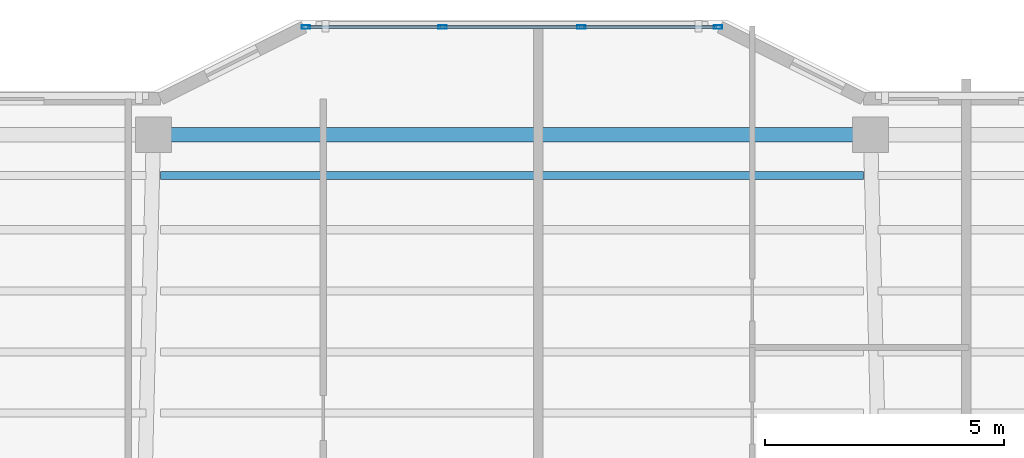
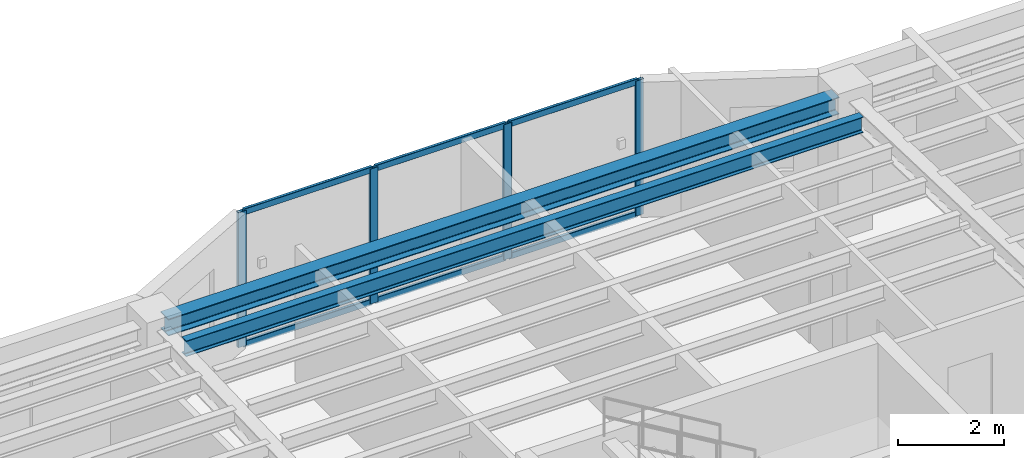
# One storey, part 2 of 11: 10 members, 2 beams, 1 element without a shape of its own.
"""IFC4 building model written with IfcOpenShell, lengths in metres."""

from ifc_helpers import new_model, si_unit, direction, frame, origin, origin_2d, place, context, subcontext, project, spatial, hollow_rectangle, i_section, extrude, material, layer, layer_set, material_profile, profile_set, type_object, element, aggregate, save


model = new_model("IFC4")

# Units and contexts
model_context = context("Model", 3, precision=1e-05, world=origin(), true_north=direction((0.0, 1.0)))
body_context = subcontext(model_context, "Body", "Model", "MODEL_VIEW")
ifc_project = project(units=[si_unit("LENGTHUNIT", "METRE"), si_unit("AREAUNIT", "SQUARE_METRE"), si_unit("VOLUMEUNIT", "CUBIC_METRE"), si_unit("PLANEANGLEUNIT", "RADIAN"), si_unit("MASSUNIT", "GRAM", prefix="KILO")], contexts=[model_context])

# Site, building, storey
site_placement = place(None, origin())
site = spatial("IfcSite", under=ifc_project, at=site_placement, CompositionType="ELEMENT")
building_placement = place(site_placement, origin())
building = spatial("IfcBuilding", under=site, at=building_placement, Name="Tarnavaz Court Tower", CompositionType="ELEMENT")
storey_placement = place(building_placement, frame((0.0, 0.0, 213.699951171875)))
storey = spatial("IfcBuildingStorey", under=building, at=storey_placement, Name="L58", CompositionType="ELEMENT", Elevation=213.699951171875)

# Beams
ifc_material_1 = material(Name="Steel S355", Category="steel")
ifc_material_profile_1 = material_profile(ifc_material_1, i_section(OverallWidth=0.169921875, OverallDepth=0.360107421875, WebThickness=0.008056640625, FlangeThickness=0.0126953125, FilletRadius=0.01806640625, at=origin_2d()), Name="IPE 360")
ifc_profile_set_1 = profile_set([ifc_material_profile_1], Name="Steel S355")
beam_type_1 = type_object("IfcBeamType", Name="BM-J-IPE360", PredefinedType="JOIST", material=ifc_profile_set_1)
beam_1_placement = place(storey_placement, frame((-7.35009765625, 19.248046875, 2.920166015625), z_axis=(1.0, 0.0, 0.0), x_axis=(0.0, 1.0, 0.0)))
element("IfcBeam", 1, at=beam_1_placement, inside=storey, type_object=beam_type_1, Name="L58 Beam JN5-2", PredefinedType="JOIST", context=body_context, shape_type="SweptSolid", body=[
    extrude(i_section(OverallWidth=0.169921875, OverallDepth=0.360107421875, WebThickness=0.008056640625, FlangeThickness=0.0126953125, FilletRadius=0.01806640625, at=origin_2d()), origin(), (0.0, 0.0, 1.0), 14.7001953125),
])
ifc_material_profile_2 = material_profile(ifc_material_1, i_section(OverallWidth=0.300048828125, OverallDepth=0.389892578125, WebThickness=0.010986328125, FlangeThickness=0.01904296875, FilletRadius=0.027099609375, at=origin_2d()), Name="HEA 400")
ifc_profile_set_2 = profile_set([ifc_material_profile_2], Name="Steel S355")
beam_type_2 = type_object("IfcBeamType", Name="BM-SP-HEA400", PredefinedType="BEAM", material=ifc_profile_set_2)
beam_2_placement = place(storey_placement, frame((-7.280029296875, 20.10009765625, 2.905029296875), z_axis=(1.0, 0.0, 0.0), x_axis=(0.0, 1.0, 0.0)))
element("IfcBeam", 2, at=beam_2_placement, inside=storey, type_object=beam_type_2, Name="L58 Beam PR-PN-2-PN-3", PredefinedType="BEAM", context=body_context, shape_type="SweptSolid", body=[
    extrude(i_section(OverallWidth=0.300048828125, OverallDepth=0.389892578125, WebThickness=0.010986328125, FlangeThickness=0.01904296875, FilletRadius=0.027099609375, at=origin_2d()), origin(), (0.0, 0.0, 1.0), 14.56005859375),
])

# Curtain wall, members
ifc_material_2 = material(Name="Anodised Aluminium 6063-T6 and Solar Low-E Glazing", Category="aluminium")
ifc_layer = layer(ifc_material_2, 0.159912109375)
ifc_layer_set = layer_set([ifc_layer], Name="Anodised Aluminium 6063-T6 and Solar Low-E Glazing")
curtain_wall_type = type_object("IfcCurtainWallType", Name="CW-SYS-03", PredefinedType="NOTDEFINED", material=ifc_layer_set)
curtain_wall_placement = place(storey_placement, origin())
curtain_wall = element("IfcCurtainWall", 3, at=curtain_wall_placement, inside=storey, type_object=curtain_wall_type, Name="L58 Iwan Prow Curtain Wall 7", PredefinedType="NOTDEFINED")
ifc_material_3 = material(Name="Anodised Aluminium 6063-T6", Category="aluminium")
ifc_material_profile_3 = material_profile(ifc_material_3, hollow_rectangle(XDim=0.074951171875, YDim=0.179931640625, WallThickness=0.0048828125, InnerFilletRadius=0.0048828125, OuterFilletRadius=0.010009765625, at=origin_2d()), Name="ALU RHS 180X75X5")
ifc_profile_set_3 = profile_set([ifc_material_profile_3], Name="Anodised Aluminium 6063-T6")
member_type_1 = type_object("IfcMemberType", Name="CW-MUL-180", PredefinedType="MULLION", material=ifc_profile_set_3)
member_1_placement = place(storey_placement, frame((-4.3125, 22.35009765625, 0.0), z_axis=(0.0, 0.0, 1.0), x_axis=(0.0, 1.0, 0.0)))
member_1 = element("IfcMember", 4, at=member_1_placement, type_object=member_type_1, Name="CW mullion 1", PredefinedType="MULLION", context=body_context, shape_type="SweptSolid", body=[
    extrude(hollow_rectangle(XDim=0.074951171875, YDim=0.179931640625, WallThickness=0.0048828125, InnerFilletRadius=0.0048828125, OuterFilletRadius=0.010009765625, at=origin_2d()), origin(), (0.0, 0.0, 1.0), 3.10009765625),
])
member_2_placement = place(storey_placement, frame((-1.449951171875, 22.35009765625, 0.0), z_axis=(0.0, 0.0, 1.0), x_axis=(0.0, 1.0, 0.0)))
member_2 = element("IfcMember", 5, at=member_2_placement, type_object=member_type_1, Name="CW mullion 2", PredefinedType="MULLION", context=body_context, shape_type="SweptSolid", body=[
    extrude(hollow_rectangle(XDim=0.074951171875, YDim=0.179931640625, WallThickness=0.0048828125, InnerFilletRadius=0.0048828125, OuterFilletRadius=0.010009765625, at=origin_2d()), origin(), (0.0, 0.0, 1.0), 3.10009765625),
])
member_3_placement = place(storey_placement, frame((1.449951171875, 22.35009765625, 0.0), z_axis=(0.0, 0.0, 1.0), x_axis=(0.0, 1.0, 0.0)))
member_3 = element("IfcMember", 6, at=member_3_placement, type_object=member_type_1, Name="CW mullion 3", PredefinedType="MULLION", context=body_context, shape_type="SweptSolid", body=[
    extrude(hollow_rectangle(XDim=0.074951171875, YDim=0.179931640625, WallThickness=0.0048828125, InnerFilletRadius=0.0048828125, OuterFilletRadius=0.010009765625, at=origin_2d()), origin(), (0.0, 0.0, 1.0), 3.10009765625),
])
member_4_placement = place(storey_placement, frame((4.3125, 22.35009765625, 0.0), z_axis=(0.0, 0.0, 1.0), x_axis=(0.0, 1.0, 0.0)))
member_4 = element("IfcMember", 7, at=member_4_placement, type_object=member_type_1, Name="CW mullion 4", PredefinedType="MULLION", context=body_context, shape_type="SweptSolid", body=[
    extrude(hollow_rectangle(XDim=0.074951171875, YDim=0.179931640625, WallThickness=0.0048828125, InnerFilletRadius=0.0048828125, OuterFilletRadius=0.010009765625, at=origin_2d()), origin(), (0.0, 0.0, 1.0), 3.10009765625),
])
ifc_material_profile_4 = material_profile(ifc_material_3, hollow_rectangle(XDim=0.06494140625, YDim=0.139892578125, WallThickness=0.00390625, InnerFilletRadius=0.00390625, OuterFilletRadius=0.008056640625, at=origin_2d()), Name="ALU RHS 140X65X4")
ifc_profile_set_4 = profile_set([ifc_material_profile_4], Name="Anodised Aluminium 6063-T6")
member_type_2 = type_object("IfcMemberType", Name="CW-TRN-140", PredefinedType="USERDEFINED", material=ifc_profile_set_4)
member_5_placement = place(storey_placement, frame((-4.27490234375, 22.35009765625, 0.032470703125), z_axis=(1.0, 0.0, 0.0), x_axis=(0.0, 1.0, 0.0)))
member_5 = element("IfcMember", 8, at=member_5_placement, type_object=member_type_2, Name="CW transom 1.1", ObjectType="TRANSOM", PredefinedType="USERDEFINED", context=body_context, shape_type="SweptSolid", body=[
    extrude(hollow_rectangle(XDim=0.06494140625, YDim=0.139892578125, WallThickness=0.00390625, InnerFilletRadius=0.00390625, OuterFilletRadius=0.008056640625, at=origin_2d()), origin(), (0.0, 0.0, 1.0), 2.787353515625),
])
member_6_placement = place(storey_placement, frame((-4.27490234375, 22.35009765625, 3.067626953125), z_axis=(1.0, 0.0, 0.0), x_axis=(0.0, 1.0, 0.0)))
member_6 = element("IfcMember", 9, at=member_6_placement, type_object=member_type_2, Name="CW transom 1.2", ObjectType="TRANSOM", PredefinedType="USERDEFINED", context=body_context, shape_type="SweptSolid", body=[
    extrude(hollow_rectangle(XDim=0.06494140625, YDim=0.139892578125, WallThickness=0.00390625, InnerFilletRadius=0.00390625, OuterFilletRadius=0.008056640625, at=origin_2d()), origin(), (0.0, 0.0, 1.0), 2.787353515625),
])
member_7_placement = place(storey_placement, frame((-1.41259765625, 22.35009765625, 0.032470703125), z_axis=(1.0, 0.0, 0.0), x_axis=(0.0, 1.0, 0.0)))
member_7 = element("IfcMember", 10, at=member_7_placement, type_object=member_type_2, Name="CW transom 2.1", ObjectType="TRANSOM", PredefinedType="USERDEFINED", context=body_context, shape_type="SweptSolid", body=[
    extrude(hollow_rectangle(XDim=0.06494140625, YDim=0.139892578125, WallThickness=0.00390625, InnerFilletRadius=0.00390625, OuterFilletRadius=0.008056640625, at=origin_2d()), origin(), (0.0, 0.0, 1.0), 2.8251953125),
])
member_8_placement = place(storey_placement, frame((-1.41259765625, 22.35009765625, 3.067626953125), z_axis=(1.0, 0.0, 0.0), x_axis=(0.0, 1.0, 0.0)))
member_8 = element("IfcMember", 11, at=member_8_placement, type_object=member_type_2, Name="CW transom 2.2", ObjectType="TRANSOM", PredefinedType="USERDEFINED", context=body_context, shape_type="SweptSolid", body=[
    extrude(hollow_rectangle(XDim=0.06494140625, YDim=0.139892578125, WallThickness=0.00390625, InnerFilletRadius=0.00390625, OuterFilletRadius=0.008056640625, at=origin_2d()), origin(), (0.0, 0.0, 1.0), 2.8251953125),
])
member_9_placement = place(storey_placement, frame((1.487548828125, 22.35009765625, 0.032470703125), z_axis=(1.0, 0.0, 0.0), x_axis=(0.0, 1.0, 0.0)))
member_9 = element("IfcMember", 12, at=member_9_placement, type_object=member_type_2, Name="CW transom 3.1", ObjectType="TRANSOM", PredefinedType="USERDEFINED", context=body_context, shape_type="SweptSolid", body=[
    extrude(hollow_rectangle(XDim=0.06494140625, YDim=0.139892578125, WallThickness=0.00390625, InnerFilletRadius=0.00390625, OuterFilletRadius=0.008056640625, at=origin_2d()), origin(), (0.0, 0.0, 1.0), 2.787353515625),
])
member_10_placement = place(storey_placement, frame((1.487548828125, 22.35009765625, 3.067626953125), z_axis=(1.0, 0.0, 0.0), x_axis=(0.0, 1.0, 0.0)))
member_10 = element("IfcMember", 13, at=member_10_placement, type_object=member_type_2, Name="CW transom 3.2", ObjectType="TRANSOM", PredefinedType="USERDEFINED", context=body_context, shape_type="SweptSolid", body=[
    extrude(hollow_rectangle(XDim=0.06494140625, YDim=0.139892578125, WallThickness=0.00390625, InnerFilletRadius=0.00390625, OuterFilletRadius=0.008056640625, at=origin_2d()), origin(), (0.0, 0.0, 1.0), 2.787353515625),
])
aggregate(curtain_wall, [member_1, member_2, member_3, member_4, member_5, member_6, member_7, member_8, member_9, member_10])

save(model, "model.ifc")
